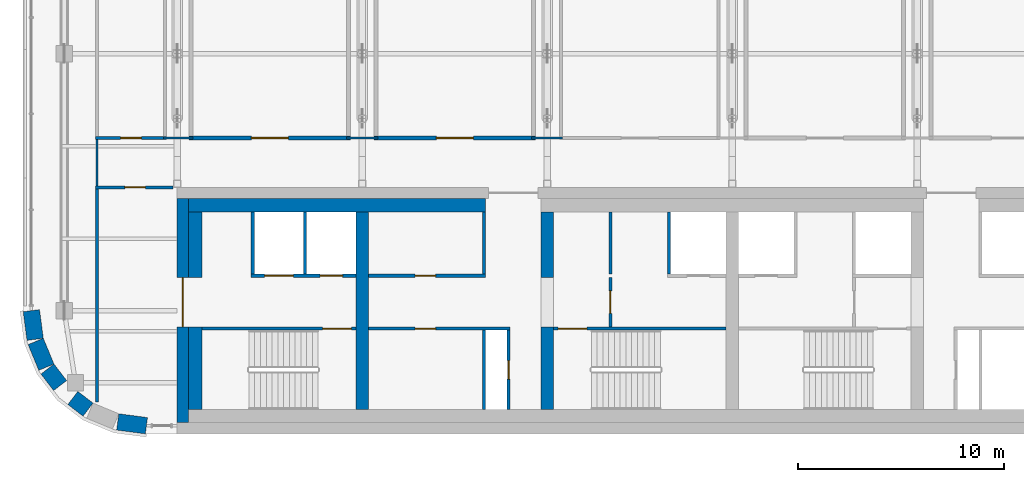
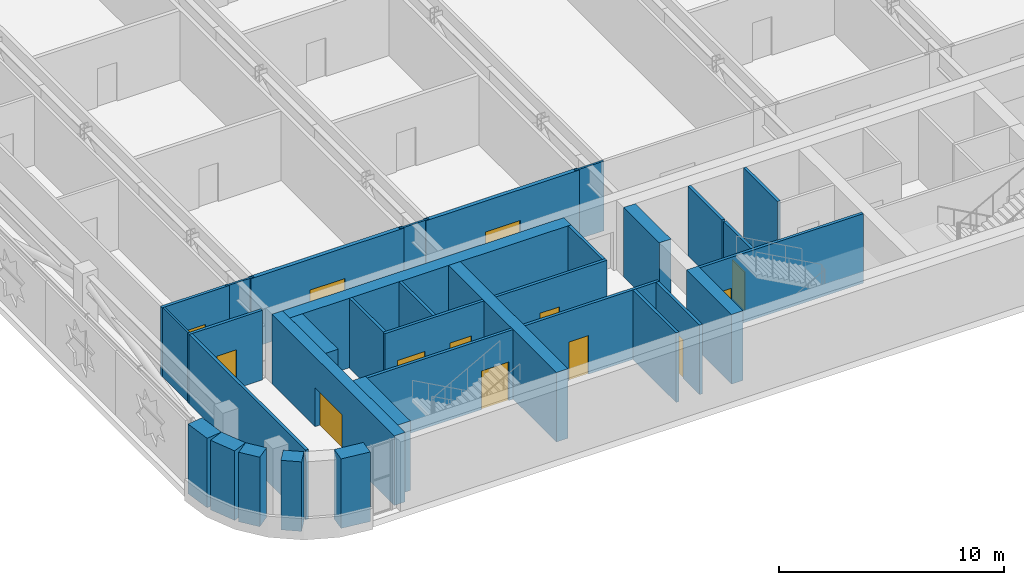
# One storey, part 18 of 28: 34 walls, 13 doors, 13 openings.
"""IFC4 building model written with IfcOpenShell, lengths in metres."""

import ifcopenshell
import ifcopenshell.guid

model = None  # the IFC model being written
_history = None  # IfcOwnerHistory: only IFC2X3 demands one
_inside = {}  # id of a spatial element -> (the spatial element, [elements in it])
_under = {}  # id of a project, library or spatial element -> (it, [spatial elements below it])
_declared = {}  # id of a project -> (the project, [libraries it declares])
_typed = {}  # id of a type object -> (the type object, [elements of that type])
_made_of = {}  # id of a material, layer set ... -> (it, [elements and type objects made of it])


def new_model(schema):
    """Start an empty IFC model of exactly this schema.

    Asked for "IFC4X3", IfcOpenShell would pick the latest addendum, in which some entities
    have other attributes; the version numbers below select the first issue.
    IFC2X3 requires an IfcOwnerHistory on every rooted entity: one is made here for all.
    """
    global model, _history
    if schema == "IFC4X3":
        model = ifcopenshell.file(schema_version=(4, 3, 0, 0))
    else:
        model = ifcopenshell.file(schema=schema)
    _inside.clear()
    _under.clear()
    _declared.clear()
    _typed.clear()
    _made_of.clear()
    _history = None
    if model.schema == "IFC2X3":
        org = make("IfcOrganization", Name="unknown")
        user = make(
            "IfcPersonAndOrganization",
            ThePerson=make("IfcPerson", FamilyName="unknown"),
            TheOrganization=org,
        )
        app = make(
            "IfcApplication",
            ApplicationDeveloper=org,
            Version="unknown",
            ApplicationFullName="unknown",
            ApplicationIdentifier="unknown",
        )
        _history = make(
            "IfcOwnerHistory",
            OwningUser=user,
            OwningApplication=app,
            ChangeAction="ADDED",
            CreationDate=0,
        )
    return model


def make(cls, **values):
    """One entity of the class cls with the attributes given. An attribute that is None is left unset."""
    return model.create_entity(
        cls, **{name: value for name, value in values.items() if value is not None}
    )


def rooted(cls, **values):
    """An entity with a GlobalId (a new one), such as an element, a storey or a relation."""
    return make(cls, GlobalId=ifcopenshell.guid.new(), OwnerHistory=_history, **values)


def si_unit(unit_type, name, prefix=None):
    """IfcSIUnit, for example si_unit("LENGTHUNIT", "METRE", prefix="MILLI")."""
    return make("IfcSIUnit", UnitType=unit_type, Prefix=prefix, Name=name)


def assignment(units):
    """IfcUnitAssignment: the units of a project."""
    return None if units is None else make("IfcUnitAssignment", Units=units)


def point(xyz):
    """IfcCartesianPoint."""
    return None if xyz is None else make("IfcCartesianPoint", Coordinates=xyz)


def direction(xyz):
    """IfcDirection."""
    return None if xyz is None else make("IfcDirection", DirectionRatios=xyz)


def frame(location, z_axis=None, x_axis=None):
    """IfcAxis2Placement3D, a coordinate frame: its origin and axes. An axis left out is left unset."""
    return make(
        "IfcAxis2Placement3D",
        Location=point(location),
        Axis=direction(z_axis),
        RefDirection=direction(x_axis),
    )


def frame_2d(location, x_axis=None):
    """IfcAxis2Placement2D, a coordinate frame in the plane: its origin and x axis."""
    return make(
        "IfcAxis2Placement2D", Location=point(location), RefDirection=direction(x_axis)
    )


def origin():
    """The frame at (0, 0, 0) with its axes left unset."""
    return frame((0.0, 0.0, 0.0))


def place(relative_to, where):
    """IfcLocalPlacement: puts the frame where relative to a parent placement (None: the world)."""
    return make(
        "IfcLocalPlacement", PlacementRelTo=relative_to, RelativePlacement=where
    )


def context(
    kind, dimensions, precision=None, world=None, true_north=None, identifier=None
):
    """IfcGeometricRepresentationContext, for example the 3D "Model" context."""
    return make(
        "IfcGeometricRepresentationContext",
        ContextIdentifier=identifier,
        ContextType=kind,
        CoordinateSpaceDimension=dimensions,
        Precision=precision,
        WorldCoordinateSystem=world,
        TrueNorth=true_north,
    )


def subcontext(parent, identifier, kind, view, scale=None):
    """IfcGeometricRepresentationSubContext, for example "Body" below "Model"."""
    return make(
        "IfcGeometricRepresentationSubContext",
        ContextIdentifier=identifier,
        ContextType=kind,
        ParentContext=parent,
        TargetScale=scale,
        TargetView=view,
    )


def project(units=None, contexts=None):
    """IfcProject with its units and contexts."""
    return rooted(
        "IfcProject",
        Name="project",
        RepresentationContexts=contexts,
        UnitsInContext=assignment(units),
    )


def spatial(cls, under=None, at=None, **own):
    """A site, building, storey or space (cls), placed at a placement, below another one or the project."""
    s = rooted(cls, ObjectPlacement=at, **own)
    if under is not None:
        _under.setdefault(under.id(), (under, []))[1].append(s)
    return s


def profile(cls, at=None, kind="AREA", **sizes):
    """A parametric profile (cls). Its sizes go by their IFC names, for example OverallWidth=200.0."""
    return make(cls, ProfileType=kind, Position=at, **sizes)


def rectangle(**sizes):
    """IfcRectangleProfileDef."""
    return profile("IfcRectangleProfileDef", **sizes)


def extrude(swept, where, along, depth):
    """IfcExtrudedAreaSolid: the profile swept, set in the frame where, extruded along a direction by depth."""
    return make(
        "IfcExtrudedAreaSolid",
        SweptArea=swept,
        Position=where,
        ExtrudedDirection=direction(along),
        Depth=depth,
    )


def shape(context_of_items, identifier, shape_type, items):
    """IfcShapeRepresentation: the items that make up one representation, for example the "Body"."""
    return make(
        "IfcShapeRepresentation",
        ContextOfItems=context_of_items,
        RepresentationIdentifier=identifier,
        RepresentationType=shape_type,
        Items=items,
    )


def material(Name=None, Category=None):
    """IfcMaterial."""
    return make("IfcMaterial", Name=Name, Category=Category)


def layer(
    of_material, thickness, ventilated=None, Name=None, Category=None, Priority=None
):
    """IfcMaterialLayer: one layer of a wall or slab, of a material (None: an air gap)."""
    return make(
        "IfcMaterialLayer",
        Material=of_material,
        LayerThickness=thickness,
        IsVentilated=ventilated,
        Name=Name,
        Category=Category,
        Priority=Priority,
    )


def layer_set(layers, Name=None):
    """IfcMaterialLayerSet."""
    return make("IfcMaterialLayerSet", MaterialLayers=layers, LayerSetName=Name)


def made_of(thing, what):
    """Note that an element or type object is made of a material, layer set ...; save() writes the relation."""
    if what is not None:
        _made_of.setdefault(what.id(), (what, []))[1].append(thing)
    return thing


def type_object(cls, material=None, **own):
    """A type object (cls), such as IfcWallType, which elements share."""
    return made_of(rooted(cls, **own), material)


def element(
    cls,
    number,
    at=None,
    inside=None,
    cuts=None,
    type_object=None,
    material=None,
    context=None,
    identifier="Body",
    shape_type=None,
    held_by="IfcProductDefinitionShape",
    body=None,
    shapes=None,
    **own,
):
    """One element of the class cls, such as IfcWall. Its Tag is "e" and its number.

    at: its placement. inside: the storey or other place that contains it. cuts: it is an
    opening in that element (IfcRelVoidsElement). A single representation is given by context,
    identifier, shape_type and body (its items); several are given by shapes. held_by: the class
    of the entity that holds the representations. save() writes the other relations.
    """
    e = rooted(cls, Tag="e%d" % number, ObjectPlacement=at, **own)
    if body is not None:
        shapes = [shape(context, identifier, shape_type, body)]
    if shapes is not None:
        e.Representation = make(held_by, Representations=shapes)
    if inside is not None:
        _inside.setdefault(inside.id(), (inside, []))[1].append(e)
    if cuts is not None:
        rooted(
            "IfcRelVoidsElement", RelatingBuildingElement=cuts, RelatedOpeningElement=e
        )
    if type_object is not None:
        _typed.setdefault(type_object.id(), (type_object, []))[1].append(e)
    return made_of(e, material)


def fill(opening, filler):
    """IfcRelFillsElement: the door or window that sits in an opening."""
    return rooted(
        "IfcRelFillsElement",
        RelatingOpeningElement=opening,
        RelatedBuildingElement=filler,
    )


def aggregate(whole, parts):
    """IfcRelAggregates: a whole, such as a stair, and the parts it consists of."""
    return rooted("IfcRelAggregates", RelatingObject=whole, RelatedObjects=parts)


def save(model, path):
    """Write the relations noted so far, then the file.

    IfcRelAggregates (storeys below a building ...), IfcRelContainedInSpatialStructure (elements
    in a storey), IfcRelDefinesByType, IfcRelAssociatesMaterial and IfcRelDeclares: one each for
    every whole, place, type object, material and project.
    """
    for whole, parts in _under.values():
        aggregate(whole, parts)
    for where, things in _inside.values():
        rooted(
            "IfcRelContainedInSpatialStructure",
            RelatedElements=things,
            RelatingStructure=where,
        )
    for kind, things in _typed.values():
        rooted("IfcRelDefinesByType", RelatedObjects=things, RelatingType=kind)
    for what, things in _made_of.values():
        rooted("IfcRelAssociatesMaterial", RelatedObjects=things, RelatingMaterial=what)
    for by, libraries in _declared.values():
        rooted("IfcRelDeclares", RelatingContext=by, RelatedDefinitions=libraries)
    model.write(path)


model = new_model("IFC4")

# Units and contexts
model_context = context("Model", 3, precision=1e-05, world=origin(), true_north=direction((0.0, 1.0)))
body_context = subcontext(model_context, "Body", "Model", "MODEL_VIEW")
ifc_project = project(units=[si_unit("LENGTHUNIT", "METRE"), si_unit("AREAUNIT", "SQUARE_METRE"), si_unit("VOLUMEUNIT", "CUBIC_METRE"), si_unit("PLANEANGLEUNIT", "RADIAN"), si_unit("MASSUNIT", "GRAM", prefix="KILO")], contexts=[model_context])

# Site, building, storey
site_placement = place(None, origin())
site = spatial("IfcSite", under=ifc_project, at=site_placement, CompositionType="ELEMENT")
building_placement = place(site_placement, origin())
building = spatial("IfcBuilding", under=site, at=building_placement, Name="Zellij Exchange Tower", CompositionType="ELEMENT")
storey_placement = place(building_placement, frame((0.0, 0.0, 268.5)))
storey = spatial("IfcBuildingStorey", under=building, at=storey_placement, Name="L63", CompositionType="ELEMENT", Elevation=268.5)

# Walls
ifc_material_1 = material(Name="Concrete C50/60", Category="concrete")
ifc_layer_1 = layer(ifc_material_1, 0.60009765625)
ifc_layer_set_1 = layer_set([ifc_layer_1], Name="Concrete C50/60")
wall_type_1 = type_object("IfcWallType", Name="CORE-CW 600 C50/60", PredefinedType="SHEAR", material=ifc_layer_set_1)
wall_1_placement = place(storey_placement, frame((-18.0, -12.800048828125, 0.0), z_axis=(0.0, 0.0, 1.0), x_axis=(0.0, 1.0, 0.0)))
element("IfcWall", 1, at=wall_1_placement, inside=storey, type_object=wall_type_1, Name="Core cross wall x -18 L63", PredefinedType="SHEAR", context=body_context, shape_type="SweptSolid", body=[
    extrude(rectangle(XDim=9.60009765625, YDim=0.60009765625, at=frame_2d((4.800048828125, 0.0))), origin(), (0.0, 0.0, 1.0), 3.780029296875),
])
wall_2_placement = place(storey_placement, frame((-9.0, -12.800048828125, 0.0), z_axis=(0.0, 0.0, 1.0), x_axis=(0.0, 1.0, 0.0)))
element("IfcWall", 2, at=wall_2_placement, inside=storey, type_object=wall_type_1, Name="Core cross wall pier x -9 a L63", PredefinedType="SHEAR", context=body_context, shape_type="SweptSolid", body=[
    extrude(rectangle(XDim=4.0, YDim=0.60009765625, at=frame_2d((2.0, 0.0))), origin(), (0.0, 0.0, 1.0), 3.780029296875),
])
wall_3_placement = place(storey_placement, frame((-9.0, -6.375, 0.0), z_axis=(0.0, 0.0, 1.0), x_axis=(0.0, 1.0, 0.0)))
element("IfcWall", 3, at=wall_3_placement, inside=storey, type_object=wall_type_1, Name="Core cross wall pier x -9 b L63", PredefinedType="SHEAR", context=body_context, shape_type="SweptSolid", body=[
    extrude(rectangle(XDim=3.175048828125, YDim=0.60009765625, at=frame_2d((1.58740234375, 0.0))), origin(), (0.0, 0.0, 1.0), 3.780029296875),
])
ifc_material_2 = material(Name="Concrete C30/37", Category="concrete")
ifc_layer_2 = layer(ifc_material_2, 0.64990234375)
ifc_layer_set_2 = layer_set([ifc_layer_2], Name="Concrete C30/37")
wall_type_2 = type_object("IfcWallType", Name="CORE-LW 650 C30/37", PredefinedType="SHEAR", material=ifc_layer_set_2)
wall_4_placement = place(storey_placement, frame((-26.449951171875, -2.875, 0.0), z_axis=(0.0, 0.0, 1.0), x_axis=(1.0, 0.0, 0.0)))
element("IfcWall", 4, at=wall_4_placement, inside=storey, type_object=wall_type_2, Name="Core wall lining front.0 L63", PredefinedType="SHEAR", context=body_context, shape_type="SweptSolid", body=[
    extrude(rectangle(XDim=14.449951171875, YDim=0.64990234375, at=frame_2d((7.22509765625, 0.0))), origin(), (0.0, 0.0, 1.0), 3.780029296875),
])
wall_5_placement = place(storey_placement, frame((-26.125, -12.800048828125, 0.0), z_axis=(0.0, 0.0, 1.0), x_axis=(0.0, 1.0, 0.0)))
element("IfcWall", 5, at=wall_5_placement, inside=storey, type_object=wall_type_2, Name="Core wall lining end w.0 L63", PredefinedType="SHEAR", context=body_context, shape_type="SweptSolid", body=[
    extrude(rectangle(XDim=4.0, YDim=0.64990234375, at=frame_2d((2.0, 0.0))), origin(), (0.0, 0.0, 1.0), 3.780029296875),
])
wall_6_placement = place(storey_placement, frame((-26.125, -6.375, 0.0), z_axis=(0.0, 0.0, 1.0), x_axis=(0.0, 1.0, 0.0)))
element("IfcWall", 6, at=wall_6_placement, inside=storey, type_object=wall_type_2, Name="Core wall lining end w.1 L63", PredefinedType="SHEAR", context=body_context, shape_type="SweptSolid", body=[
    extrude(rectangle(XDim=3.175048828125, YDim=0.64990234375, at=frame_2d((1.58740234375, 0.0))), origin(), (0.0, 0.0, 1.0), 3.780029296875),
])

# Wall, opening, door
ifc_material_3 = material(Name="Gypsum shaft wall system")
ifc_layer_3 = layer(ifc_material_3, 0.14990234375)
ifc_layer_set_3 = layer_set([ifc_layer_3], Name="Gypsum shaft wall system")
wall_type_3 = type_object("IfcWallType", Name="CORE-PW 150 Firefighting lobby wall", PredefinedType="PARTITIONING", material=ifc_layer_set_3)
wall_7_placement = place(storey_placement, frame((-5.925048828125, -8.800048828125, 0.0), z_axis=(0.0, 0.0, 1.0), x_axis=(0.0, 1.0, 0.0)))
wall_7 = element("IfcWall", 7, at=wall_7_placement, inside=storey, type_object=wall_type_3, Name="Firefighting lobby wall L63", PredefinedType="PARTITIONING", context=body_context, shape_type="SweptSolid", body=[
    extrude(rectangle(XDim=2.425048828125, YDim=0.14990234375, at=frame_2d((1.21240234375, 0.0))), origin(), (0.0, 0.0, 1.0), 3.780029296875),
])
opening_1_placement = place(wall_7_placement, frame((0.662109375, 0.0, 0.0)))
opening_1 = element("IfcOpeningElement", 8, at=opening_1_placement, cuts=wall_7, Name="Opening CA-33.10", PredefinedType="OPENING", context=body_context, shape_type="SweptSolid", body=[
    extrude(rectangle(XDim=1.10009765625, YDim=2.10009765625, at=frame_2d((0.550048828125, 1.050048828125))), frame((0.0, 0.0869140625, 0.0), z_axis=(0.0, -1.0, 0.0), x_axis=(1.0, 0.0, 0.0)), (0.0, 0.0, 1.0), 0.173828125),
])
ifc_material_4 = material(Name="Hollow metal fire door")
door_type_1 = type_object("IfcDoorType", Name="CORE-D F Firefighting lobby door 1100x2100 1 HR", OperationType="NOTDEFINED", PredefinedType="DOOR", material=ifc_material_4)
door_1_placement = place(opening_1_placement, origin())
door_1 = element("IfcDoor", 9, at=door_1_placement, inside=storey, type_object=door_type_1, Name="Firefighting lobby door CA-33.10", OperationType="SINGLE_SWING_LEFT", OverallHeight=2.10009765625, OverallWidth=1.10009765625, PredefinedType="DOOR", context=body_context, shape_type="SweptSolid", body=[
    extrude(rectangle(XDim=1.10009765625, YDim=2.10009765625, at=frame_2d((0.550048828125, 1.050048828125))), frame((0.0, 0.02490234375, 0.0), z_axis=(0.0, -1.0, 0.0), x_axis=(1.0, 0.0, 0.0)), (0.0, 0.0, 1.0), 0.050048828125),
])
fill(opening_1, door_1)

# Walls
ifc_layer_4 = layer(ifc_material_3, 0.14990234375)
ifc_layer_set_4 = layer_set([ifc_layer_4], Name="Gypsum shaft wall system")
wall_type_4 = type_object("IfcWallType", Name="CORE-PW 150 Lift shaft wall", PredefinedType="PARTITIONING", material=ifc_layer_set_4)
for number, where, z_axis, x_axis, name in (
    (10, (-20.77490234375, -6.22509765625, 0.0), (0.0, 0.0, 1.0), (0.0, 1.0, 0.0), "Lift shaft wall L63"),
    (11, (-23.324951171875, -6.22509765625, 0.0), (0.0, 0.0, 1.0), (0.0, 1.0, 0.0), "Lift shaft wall L63"),
    (12, (-3.074951171875, -6.22509765625, 0.0), (0.0, 0.0, 1.0), (0.0, 1.0, 0.0), "Lift shaft wall L63"),
):
    element("IfcWall", number, at=place(storey_placement, frame(where, z_axis=z_axis, x_axis=x_axis)), inside=storey, type_object=wall_type_4, Name=name, PredefinedType="PARTITIONING", context=body_context, shape_type="SweptSolid", body=[
        extrude(rectangle(XDim=3.025146484375, YDim=0.14990234375, at=frame_2d((1.5126953125, 0.0))), origin(), (0.0, 0.0, 1.0), 3.780029296875),
    ])

# Wall, openings, doors
wall_8_placement = place(storey_placement, frame((-23.39990234375, -6.300048828125, 0.0), z_axis=(0.0, 0.0, 1.0), x_axis=(1.0, 0.0, 0.0)))
wall_8 = element("IfcWall", 13, at=wall_8_placement, inside=storey, type_object=wall_type_4, Name="Lift shaft wall L63", PredefinedType="PARTITIONING", context=body_context, shape_type="SweptSolid", body=[
    extrude(rectangle(XDim=5.099853515625, YDim=0.14990234375, at=frame_2d((2.5498046875, 0.0))), origin(), (0.0, 0.0, 1.0), 3.780029296875),
])
opening_2_placement = place(wall_8_placement, frame((0.64990234375, 0.0, 0.0)))
opening_2 = element("IfcOpeningElement", 14, at=opening_2_placement, cuts=wall_8, Name="Opening CA-33.02", PredefinedType="OPENING", context=body_context, shape_type="SweptSolid", body=[
    extrude(rectangle(XDim=1.39990234375, YDim=2.10009765625, at=frame_2d((0.699951171875, 1.050048828125))), frame((0.0, 0.0869140625, 0.0), z_axis=(0.0, -1.0, 0.0), x_axis=(1.0, 0.0, 0.0)), (0.0, 0.0, 1.0), 0.173828125),
])
opening_3_placement = place(wall_8_placement, frame((3.35009765625, 0.0, 0.0)))
opening_3 = element("IfcOpeningElement", 15, at=opening_3_placement, cuts=wall_8, Name="Opening CA-33.03", PredefinedType="OPENING", context=body_context, shape_type="SweptSolid", body=[
    extrude(rectangle(XDim=1.10009765625, YDim=2.10009765625, at=frame_2d((0.550048828125, 1.050048828125))), frame((0.0, 0.0869140625, 0.0), z_axis=(0.0, -1.0, 0.0), x_axis=(1.0, 0.0, 0.0)), (0.0, 0.0, 1.0), 0.173828125),
])
door_type_2 = type_object("IfcDoorType", Name="CORE-D LD Lift landing door 1100x2100 1.5 HR", OperationType="NOTDEFINED", PredefinedType="DOOR", material=ifc_material_4)
door_2_placement = place(opening_3_placement, origin())
door_2 = element("IfcDoor", 16, at=door_2_placement, inside=storey, type_object=door_type_2, Name="Lift landing door CA-33.03", OperationType="SLIDING_TO_LEFT", OverallHeight=2.10009765625, OverallWidth=1.10009765625, PredefinedType="DOOR", context=body_context, shape_type="SweptSolid", body=[
    extrude(rectangle(XDim=1.10009765625, YDim=2.10009765625, at=frame_2d((0.550048828125, 1.050048828125))), frame((0.0, 0.02490234375, 0.0), z_axis=(0.0, -1.0, 0.0), x_axis=(1.0, 0.0, 0.0)), (0.0, 0.0, 1.0), 0.050048828125),
])
fill(opening_3, door_2)
door_type_3 = type_object("IfcDoorType", Name="CORE-D LD2 Service lift landing door 1400x2100 1.5 HR", OperationType="NOTDEFINED", PredefinedType="DOOR", material=ifc_material_4)
door_3_placement = place(opening_2_placement, origin())
door_3 = element("IfcDoor", 17, at=door_3_placement, inside=storey, type_object=door_type_3, Name="Service lift landing door CA-33.02", OperationType="SLIDING_TO_RIGHT", OverallHeight=2.10009765625, OverallWidth=1.39990234375, PredefinedType="DOOR", context=body_context, shape_type="SweptSolid", body=[
    extrude(rectangle(XDim=1.39990234375, YDim=2.10009765625, at=frame_2d((0.699951171875, 1.050048828125))), frame((0.0, 0.02490234375, 0.0), z_axis=(0.0, -1.0, 0.0), x_axis=(1.0, 0.0, 0.0)), (0.0, 0.0, 1.0), 0.050048828125),
])
fill(opening_2, door_3)

# Walls
ifc_layer_5 = layer(ifc_material_3, 0.14990234375)
ifc_layer_set_5 = layer_set([ifc_layer_5], Name="Gypsum shaft wall system")
wall_type_5 = type_object("IfcWallType", Name="CORE-PW 150 Plant room wall", PredefinedType="PARTITIONING", material=ifc_layer_set_5)
for number, where, z_axis, x_axis, name in (
    (18, (-12.074951171875, -6.22509765625, 0.0), (0.0, 0.0, 1.0), (0.0, 1.0, 0.0), "Plant room wall L63"),
    (19, (-5.925048828125, -6.22509765625, 0.0), (0.0, 0.0, 1.0), (0.0, 1.0, 0.0), "Plant room wall L63"),
):
    element("IfcWall", number, at=place(storey_placement, frame(where, z_axis=z_axis, x_axis=x_axis)), inside=storey, type_object=wall_type_5, Name=name, PredefinedType="PARTITIONING", context=body_context, shape_type="SweptSolid", body=[
        extrude(rectangle(XDim=3.025146484375, YDim=0.14990234375, at=frame_2d((1.5126953125, 0.0))), origin(), (0.0, 0.0, 1.0), 3.780029296875),
    ])

# Wall, opening, door
wall_9_placement = place(storey_placement, frame((-10.875, -12.800048828125, 0.0), z_axis=(0.0, 0.0, 1.0), x_axis=(0.0, 1.0, 0.0)))
wall_9 = element("IfcWall", 20, at=wall_9_placement, inside=storey, type_object=wall_type_5, Name="Plant room wall L63", PredefinedType="PARTITIONING", context=body_context, shape_type="SweptSolid", body=[
    extrude(rectangle(XDim=3.85009765625, YDim=0.14990234375, at=frame_2d((1.925048828125, 0.0))), origin(), (0.0, 0.0, 1.0), 3.780029296875),
])
opening_4_placement = place(wall_9_placement, frame((1.47509765625, 0.0, 0.0)))
opening_4 = element("IfcOpeningElement", 21, at=opening_4_placement, cuts=wall_9, Name="Opening CA-33.07", PredefinedType="OPENING", context=body_context, shape_type="SweptSolid", body=[
    extrude(rectangle(XDim=0.89990234375, YDim=2.10009765625, at=frame_2d((0.449951171875, 1.050048828125))), frame((0.0, 0.0869140625, 0.0), z_axis=(0.0, -1.0, 0.0), x_axis=(1.0, 0.0, 0.0)), (0.0, 0.0, 1.0), 0.173828125),
])
door_type_4 = type_object("IfcDoorType", Name="CORE-D RD Riser door 900x2100 1.5 HR", OperationType="NOTDEFINED", PredefinedType="DOOR", material=ifc_material_4)
door_4_placement = place(opening_4_placement, origin())
door_4 = element("IfcDoor", 22, at=door_4_placement, inside=storey, type_object=door_type_4, Name="Riser door CA-33.07", OperationType="SINGLE_SWING_RIGHT", OverallHeight=2.10009765625, OverallWidth=0.89990234375, PredefinedType="DOOR", context=body_context, shape_type="SweptSolid", body=[
    extrude(rectangle(XDim=0.89990234375, YDim=2.10009765625, at=frame_2d((0.449951171875, 1.050048828125))), frame((0.0, 0.02490234375, 0.0), z_axis=(0.0, -1.0, 0.0), x_axis=(1.0, 0.0, 0.0)), (0.0, 0.0, 1.0), 0.050048828125),
])
fill(opening_4, door_4)

# Wall
wall_10_placement = place(storey_placement, frame((-12.074951171875, -12.800048828125, 0.0), z_axis=(0.0, 0.0, 1.0), x_axis=(0.0, 1.0, 0.0)))
element("IfcWall", 23, at=wall_10_placement, inside=storey, type_object=wall_type_5, Name="Plant room wall L63", PredefinedType="PARTITIONING", context=body_context, shape_type="SweptSolid", body=[
    extrude(rectangle(XDim=3.85009765625, YDim=0.14990234375, at=frame_2d((1.925048828125, 0.0))), origin(), (0.0, 0.0, 1.0), 3.780029296875),
])

# Wall, opening, door
wall_11_placement = place(storey_placement, frame((-17.699951171875, -6.300048828125, 0.0), z_axis=(0.0, 0.0, 1.0), x_axis=(1.0, 0.0, 0.0)))
wall_11 = element("IfcWall", 24, at=wall_11_placement, inside=storey, type_object=wall_type_5, Name="Plant room wall L63", PredefinedType="PARTITIONING", context=body_context, shape_type="SweptSolid", body=[
    extrude(rectangle(XDim=5.699951171875, YDim=0.14990234375, at=frame_2d((2.85009765625, 0.0))), origin(), (0.0, 0.0, 1.0), 3.780029296875),
])
opening_5_placement = place(wall_11_placement, frame((2.27490234375, 0.0, 0.0)))
opening_5 = element("IfcOpeningElement", 25, at=opening_5_placement, cuts=wall_11, Name="Opening CA-33.06", PredefinedType="OPENING", context=body_context, shape_type="SweptSolid", body=[
    extrude(rectangle(XDim=1.0, YDim=2.10009765625, at=frame_2d((0.5, 1.050048828125))), frame((0.0, 0.0869140625, 0.0), z_axis=(0.0, -1.0, 0.0), x_axis=(1.0, 0.0, 0.0)), (0.0, 0.0, 1.0), 0.173828125),
])
door_type_5 = type_object("IfcDoorType", Name="CORE-D CDA Core room door 1000x2100 1.5 HR", OperationType="NOTDEFINED", PredefinedType="DOOR", material=ifc_material_4)
door_5_placement = place(opening_5_placement, origin())
door_5 = element("IfcDoor", 26, at=door_5_placement, inside=storey, type_object=door_type_5, Name="Core room door CA-33.06", OperationType="SINGLE_SWING_LEFT", OverallHeight=2.10009765625, OverallWidth=1.0, PredefinedType="DOOR", context=body_context, shape_type="SweptSolid", body=[
    extrude(rectangle(XDim=1.0, YDim=2.10009765625, at=frame_2d((0.5, 1.050048828125))), frame((0.0, 0.02490234375, 0.0), z_axis=(0.0, -1.0, 0.0), x_axis=(1.0, 0.0, 0.0)), (0.0, 0.0, 1.0), 0.050048828125),
])
fill(opening_5, door_5)

wall_12_placement = place(storey_placement, frame((-17.699951171875, -8.875, 0.0), z_axis=(0.0, 0.0, 1.0), x_axis=(1.0, 0.0, 0.0)))
wall_12 = element("IfcWall", 27, at=wall_12_placement, inside=storey, type_object=wall_type_5, Name="Plant room wall L63", PredefinedType="PARTITIONING", context=body_context, shape_type="SweptSolid", body=[
    extrude(rectangle(XDim=6.89990234375, YDim=0.14990234375, at=frame_2d((3.449951171875, 0.0))), origin(), (0.0, 0.0, 1.0), 3.780029296875),
])
opening_6_placement = place(wall_12_placement, frame((2.27490234375, 0.0, 0.0)))
opening_6 = element("IfcOpeningElement", 28, at=opening_6_placement, cuts=wall_12, Name="Opening CA-33.05", PredefinedType="OPENING", context=body_context, shape_type="SweptSolid", body=[
    extrude(rectangle(XDim=1.0, YDim=2.10009765625, at=frame_2d((0.5, 1.050048828125))), frame((0.0, 0.0869140625, 0.0), z_axis=(0.0, -1.0, 0.0), x_axis=(1.0, 0.0, 0.0)), (0.0, 0.0, 1.0), 0.173828125),
])
door_6_placement = place(opening_6_placement, origin())
door_6 = element("IfcDoor", 29, at=door_6_placement, inside=storey, type_object=door_type_5, Name="Core room door CA-33.05", OperationType="SINGLE_SWING_RIGHT", OverallHeight=2.10009765625, OverallWidth=1.0, PredefinedType="DOOR", context=body_context, shape_type="SweptSolid", body=[
    extrude(rectangle(XDim=1.0, YDim=2.10009765625, at=frame_2d((0.5, 1.050048828125))), frame((0.0, 0.02490234375, 0.0), z_axis=(0.0, -1.0, 0.0), x_axis=(1.0, 0.0, 0.0)), (0.0, 0.0, 1.0), 0.050048828125),
])
fill(opening_6, door_6)

ifc_layer_6 = layer(ifc_material_1, 0.550048828125)
ifc_layer_set_6 = layer_set([ifc_layer_6], Name="Concrete C50/60")
wall_type_6 = type_object("IfcWallType", Name="CORE-SW 550 C50/60", PredefinedType="SHEAR", material=ifc_layer_set_6)
wall_13_placement = place(storey_placement, frame((-26.72509765625, -13.449951171875, 0.0), z_axis=(0.0, 0.0, 1.0), x_axis=(0.0, 1.0, 0.0)))
wall_13 = element("IfcWall", 30, at=wall_13_placement, inside=storey, type_object=wall_type_6, Name="Core shear wall end w L63", PredefinedType="SHEAR", context=body_context, shape_type="SweptSolid", body=[
    extrude(rectangle(XDim=10.89990234375, YDim=0.550048828125, at=frame_2d((5.449951171875, 0.0))), origin(), (0.0, 0.0, 1.0), 3.780029296875),
])
opening_7_placement = place(wall_13_placement, frame((4.662109375, 0.0, 0.0)))
opening_7 = element("IfcOpeningElement", 31, at=opening_7_placement, cuts=wall_13, Name="Opening CA-33.01", PredefinedType="OPENING", context=body_context, shape_type="SweptSolid", body=[
    extrude(rectangle(XDim=2.39990234375, YDim=2.10009765625, at=frame_2d((1.199951171875, 1.050048828125))), frame((0.0, 0.287109375, 0.0), z_axis=(0.0, -1.0, 0.0), x_axis=(1.0, 0.0, 0.0)), (0.0, 0.0, 1.0), 0.573974609375),
])
door_type_6 = type_object("IfcDoorType", Name="CORE-D CE Core entrance door 2400x2100 20 MIN", OperationType="NOTDEFINED", PredefinedType="DOOR", material=ifc_material_4)
door_7_placement = place(opening_7_placement, origin())
door_7 = element("IfcDoor", 32, at=door_7_placement, inside=storey, type_object=door_type_6, Name="Core entrance door CA-33.01", OperationType="DOUBLE_DOOR_SINGLE_SWING", OverallHeight=2.10009765625, OverallWidth=2.39990234375, PredefinedType="DOOR", context=body_context, shape_type="SweptSolid", body=[
    extrude(rectangle(XDim=2.39990234375, YDim=2.10009765625, at=frame_2d((1.199951171875, 1.050048828125))), frame((0.0, 0.02490234375, 0.0), z_axis=(0.0, -1.0, 0.0), x_axis=(1.0, 0.0, 0.0)), (0.0, 0.0, 1.0), 0.050048828125),
])
fill(opening_7, door_7)

ifc_layer_7 = layer(ifc_material_1, 0.14990234375)
ifc_layer_set_7 = layer_set([ifc_layer_7], Name="Concrete C50/60")
wall_type_7 = type_object("IfcWallType", Name="CORE-SWS 150 C50/60", PredefinedType="SHEAR", material=ifc_layer_set_7)
wall_14_placement = place(storey_placement, frame((-25.800048828125, -8.875, 0.0), z_axis=(0.0, 0.0, 1.0), x_axis=(1.0, 0.0, 0.0)))
wall_14 = element("IfcWall", 33, at=wall_14_placement, inside=storey, type_object=wall_type_7, Name="Stair enclosure wall L63", PredefinedType="SHEAR", context=body_context, shape_type="SweptSolid", body=[
    extrude(rectangle(XDim=7.5, YDim=0.14990234375, at=frame_2d((3.75, 0.0))), origin(), (0.0, 0.0, 1.0), 3.780029296875),
])
opening_8_placement = place(wall_14_placement, frame((5.875, 0.0, 0.0)))
opening_8 = element("IfcOpeningElement", 34, at=opening_8_placement, cuts=wall_14, Name="Opening CA-33.04", PredefinedType="OPENING", context=body_context, shape_type="SweptSolid", body=[
    extrude(rectangle(XDim=1.39990234375, YDim=2.10009765625, at=frame_2d((0.699951171875, 1.050048828125))), frame((0.0, 0.0869140625, 0.0), z_axis=(0.0, -1.0, 0.0), x_axis=(1.0, 0.0, 0.0)), (0.0, 0.0, 1.0), 0.173828125),
])
door_type_7 = type_object("IfcDoorType", Name="CORE-D SD Stair door 1400x2100 1.5 HR", OperationType="NOTDEFINED", PredefinedType="DOOR", material=ifc_material_4)
door_8_placement = place(opening_8_placement, origin())
door_8 = element("IfcDoor", 35, at=door_8_placement, inside=storey, type_object=door_type_7, Name="Stair door CA-33.04", OperationType="DOUBLE_DOOR_SINGLE_SWING", OverallHeight=2.10009765625, OverallWidth=1.39990234375, PredefinedType="DOOR", context=body_context, shape_type="SweptSolid", body=[
    extrude(rectangle(XDim=1.39990234375, YDim=2.10009765625, at=frame_2d((0.699951171875, 1.050048828125))), frame((0.0, 0.02490234375, 0.0), z_axis=(0.0, -1.0, 0.0), x_axis=(1.0, 0.0, 0.0)), (0.0, 0.0, 1.0), 0.050048828125),
])
fill(opening_8, door_8)

wall_15_placement = place(storey_placement, frame((-8.699951171875, -8.875, 0.0), z_axis=(0.0, 0.0, 1.0), x_axis=(1.0, 0.0, 0.0)))
wall_15 = element("IfcWall", 36, at=wall_15_placement, inside=storey, type_object=wall_type_7, Name="Stair enclosure wall L63", PredefinedType="SHEAR", context=body_context, shape_type="SweptSolid", body=[
    extrude(rectangle(XDim=8.39990234375, YDim=0.14990234375, at=frame_2d((4.199951171875, 0.0))), origin(), (0.0, 0.0, 1.0), 3.780029296875),
])
opening_9_placement = place(wall_15_placement, frame((0.22509765625, 0.0, 0.0)))
opening_9 = element("IfcOpeningElement", 37, at=opening_9_placement, cuts=wall_15, Name="Opening CA-33.09", PredefinedType="OPENING", context=body_context, shape_type="SweptSolid", body=[
    extrude(rectangle(XDim=1.39990234375, YDim=2.10009765625, at=frame_2d((0.699951171875, 1.050048828125))), frame((0.0, 0.0869140625, 0.0), z_axis=(0.0, -1.0, 0.0), x_axis=(1.0, 0.0, 0.0)), (0.0, 0.0, 1.0), 0.173828125),
])
door_9_placement = place(opening_9_placement, origin())
door_9 = element("IfcDoor", 38, at=door_9_placement, inside=storey, type_object=door_type_7, Name="Stair door CA-33.09", OperationType="DOUBLE_DOOR_SINGLE_SWING", OverallHeight=2.10009765625, OverallWidth=1.39990234375, PredefinedType="DOOR", context=body_context, shape_type="SweptSolid", body=[
    extrude(rectangle(XDim=1.39990234375, YDim=2.10009765625, at=frame_2d((0.699951171875, 1.050048828125))), frame((0.0, 0.02490234375, 0.0), z_axis=(0.0, -1.0, 0.0), x_axis=(1.0, 0.0, 0.0)), (0.0, 0.0, 1.0), 0.050048828125),
])
fill(opening_9, door_9)

# Walls
ifc_material_5 = material(Name="Precast concrete C40/50", Category="concrete")
ifc_layer_8 = layer(ifc_material_5, 0.800048828125)
ifc_layer_set_8 = layer_set([ifc_layer_8], Name="Precast concrete C40/50")
wall_type_8 = type_object("IfcWallType", Name="ENV-EW1 Precast stone-piered wall 800", PredefinedType="SOLIDWALL", material=ifc_layer_set_8)
wall_16_placement = place(storey_placement, frame((-34.0966796875, -7.999755859375, 0.0), z_axis=(0.0, 0.0, 1.0), x_axis=(0.130517283865, -0.99144603414, 0.0)))
element("IfcWall", 39, at=wall_16_placement, inside=storey, type_object=wall_type_8, Name="fac.L63.22", PredefinedType="SOLIDWALL", context=body_context, shape_type="SweptSolid", body=[
    extrude(rectangle(XDim=1.408447265625, YDim=0.800048828125, at=frame_2d((0.7041015625, 0.0))), origin(), (0.0, 0.0, 1.0), 3.780029296875),
])
wall_17_placement = place(storey_placement, frame((-33.8857421875, -9.497314453125, 0.0), z_axis=(0.0, 0.0, 1.0), x_axis=(0.38276009378, -0.923847774587, 0.0)))
element("IfcWall", 40, at=wall_17_placement, inside=storey, type_object=wall_type_8, Name="fac.L63.23", PredefinedType="SOLIDWALL", context=body_context, shape_type="SweptSolid", body=[
    extrude(rectangle(XDim=1.35546875, YDim=0.800048828125, at=frame_2d((0.677734375, 0.0))), origin(), (0.0, 0.0, 1.0), 3.780029296875),
])
wall_18_placement = place(storey_placement, frame((-33.314697265625, -10.840087890625, 0.0), z_axis=(0.0, 0.0, 1.0), x_axis=(0.608790576947, -0.793330973441, 0.0)))
element("IfcWall", 41, at=wall_18_placement, inside=storey, type_object=wall_type_8, Name="fac.L63.24", PredefinedType="SOLIDWALL", context=body_context, shape_type="SweptSolid", body=[
    extrude(rectangle(XDim=1.013427734375, YDim=0.800048828125, at=frame_2d((0.5068359375, 0.0))), origin(), (0.0, 0.0, 1.0), 3.780029296875),
])
wall_19_placement = place(storey_placement, frame((-32.078857421875, -12.247802734375, 0.0), z_axis=(0.0, 0.0, 1.0), x_axis=(0.793344662299, -0.608772738221, 0.0)))
element("IfcWall", 42, at=wall_19_placement, inside=storey, type_object=wall_type_8, Name="fac.L63.25", PredefinedType="SOLIDWALL", context=body_context, shape_type="SweptSolid", body=[
    extrude(rectangle(XDim=0.93115234375, YDim=0.800048828125, at=frame_2d((0.465576171875, 0.0))), origin(), (0.0, 0.0, 1.0), 3.780029296875),
])
wall_20_placement = place(storey_placement, frame((-29.896240234375, -13.412841796875, 0.0), z_axis=(0.0, 0.0, 1.0), x_axis=(0.99144603414, -0.130517283865, 0.0)))
element("IfcWall", 43, at=wall_20_placement, inside=storey, type_object=wall_type_8, Name="fac.L63.27", PredefinedType="SOLIDWALL", context=body_context, shape_type="SweptSolid", body=[
    extrude(rectangle(XDim=1.408447265625, YDim=0.800048828125, at=frame_2d((0.7041015625, 0.0))), origin(), (0.0, 0.0, 1.0), 3.780029296875),
])

# Wall, opening, door
ifc_material_6 = material(Name="Blockwork fire wall", Category="masonry")
ifc_layer_9 = layer(ifc_material_6, 0.199951171875)
ifc_layer_set_9 = layer_set([ifc_layer_9], Name="Blockwork fire wall")
wall_type_9 = type_object("IfcWallType", Name="FIT-BLOCKWORK-200-EI120", PredefinedType="PARTITIONING", material=ifc_layer_set_9)
wall_21_placement = place(storey_placement, frame((-26.43994140625, 0.39990234375, 0.0), z_axis=(0.0, 0.0, 1.0), x_axis=(1.0, 0.0, 0.0)))
wall_21 = element("IfcWall", 44, at=wall_21_placement, inside=storey, type_object=wall_type_9, Name="FIT-BLOCKWORK-200-EI120 011", PredefinedType="PARTITIONING", context=body_context, shape_type="SweptSolid", body=[
    extrude(rectangle(XDim=7.8798828125, YDim=0.199951171875, at=frame_2d((3.93994140625, 0.0))), origin(), (0.0, 0.0, 1.0), 3.780029296875),
])
opening_10_placement = place(wall_21_placement, frame((3.050048828125, 0.0, 0.0)))
opening_10 = element("IfcOpeningElement", 45, at=opening_10_placement, cuts=wall_21, Name="Opening PL63.04", PredefinedType="OPENING", context=body_context, shape_type="SweptSolid", body=[
    extrude(rectangle(XDim=1.800048828125, YDim=2.10009765625, at=frame_2d((0.89990234375, 1.050048828125))), frame((0.0, 0.11181640625, 0.0), z_axis=(0.0, -1.0, 0.0), x_axis=(1.0, 0.0, 0.0)), (0.0, 0.0, 1.0), 0.223876953125),
])
ifc_material_7 = material(Name="Steel fire door set", Category="steel")
door_type_8 = type_object("IfcDoorType", Name="FIT-D5-FIRE-DOUBLE-1800X2100", OperationType="DOUBLE_DOOR_SINGLE_SWING", PredefinedType="DOOR", material=ifc_material_7)
door_10_placement = place(opening_10_placement, origin())
door_10 = element("IfcDoor", 46, at=door_10_placement, inside=storey, type_object=door_type_8, Name="Door PL63.04", OperationType="DOUBLE_DOOR_SINGLE_SWING", OverallHeight=2.10009765625, OverallWidth=1.800048828125, PredefinedType="DOOR", context=body_context, shape_type="SweptSolid", body=[
    extrude(rectangle(XDim=1.800048828125, YDim=2.10009765625, at=frame_2d((0.89990234375, 1.050048828125))), frame((0.0, 0.02490234375, 0.0), z_axis=(0.0, -1.0, 0.0), x_axis=(1.0, 0.0, 0.0)), (0.0, 0.0, 1.0), 0.050048828125),
])
fill(opening_10, door_10)

wall_22_placement = place(storey_placement, frame((-17.43994140625, 0.39990234375, 0.0), z_axis=(0.0, 0.0, 1.0), x_axis=(1.0, 0.0, 0.0)))
wall_22 = element("IfcWall", 47, at=wall_22_placement, inside=storey, type_object=wall_type_9, Name="FIT-BLOCKWORK-200-EI120 015", PredefinedType="PARTITIONING", context=body_context, shape_type="SweptSolid", body=[
    extrude(rectangle(XDim=7.8798828125, YDim=0.199951171875, at=frame_2d((3.93994140625, 0.0))), origin(), (0.0, 0.0, 1.0), 3.780029296875),
])
opening_11_placement = place(wall_22_placement, frame((3.050048828125, 0.0, 0.0)))
opening_11 = element("IfcOpeningElement", 48, at=opening_11_placement, cuts=wall_22, Name="Opening PL63.05", PredefinedType="OPENING", context=body_context, shape_type="SweptSolid", body=[
    extrude(rectangle(XDim=1.800048828125, YDim=2.10009765625, at=frame_2d((0.89990234375, 1.050048828125))), frame((0.0, 0.11181640625, 0.0), z_axis=(0.0, -1.0, 0.0), x_axis=(1.0, 0.0, 0.0)), (0.0, 0.0, 1.0), 0.223876953125),
])
door_11_placement = place(opening_11_placement, origin())
door_11 = element("IfcDoor", 49, at=door_11_placement, inside=storey, type_object=door_type_8, Name="Door PL63.05", OperationType="DOUBLE_DOOR_SINGLE_SWING", OverallHeight=2.10009765625, OverallWidth=1.800048828125, PredefinedType="DOOR", context=body_context, shape_type="SweptSolid", body=[
    extrude(rectangle(XDim=1.800048828125, YDim=2.10009765625, at=frame_2d((0.89990234375, 1.050048828125))), frame((0.0, 0.02490234375, 0.0), z_axis=(0.0, -1.0, 0.0), x_axis=(1.0, 0.0, 0.0)), (0.0, 0.0, 1.0), 0.050048828125),
])
fill(opening_11, door_11)

# Walls
ifc_material_8 = material(Name="Gypsum board partition on steel studs", Category="steel")
ifc_layer_10 = layer(ifc_material_8, 0.10009765625)
ifc_layer_set_10 = layer_set([ifc_layer_10], Name="Gypsum board partition on steel studs")
wall_type_10 = type_object("IfcWallType", Name="FIT-PARTITION-100", PredefinedType="PARTITIONING", material=ifc_layer_set_10)
wall_23_placement = place(storey_placement, frame((-30.89990234375, -1.925048828125, 0.0), z_axis=(0.0, 0.0, 1.0), x_axis=(0.0, 1.0, 0.0)))
element("IfcWall", 50, at=wall_23_placement, inside=storey, type_object=wall_type_10, Name="FIT-PARTITION-100 004", PredefinedType="PARTITIONING", context=body_context, shape_type="SweptSolid", body=[
    extrude(rectangle(XDim=2.25, YDim=0.10009765625, at=frame_2d((1.125, 0.0))), origin(), (0.0, 0.0, 1.0), 3.780029296875),
])
wall_24_placement = place(storey_placement, frame((-27.675048828125, 0.39990234375, 0.0), z_axis=(0.0, 0.0, 1.0), x_axis=(1.0, 0.0, 0.0)))
element("IfcWall", 51, at=wall_24_placement, inside=storey, type_object=wall_type_10, Name="FIT-PARTITION-100 009", PredefinedType="PARTITIONING", context=body_context, shape_type="SweptSolid", body=[
    extrude(rectangle(XDim=1.43505859375, YDim=0.10009765625, at=frame_2d((0.717529296875, 0.0))), origin(), (0.0, 0.0, 1.0), 3.780029296875),
])
wall_25_placement = place(storey_placement, frame((-18.760009765625, 0.39990234375, 0.0), z_axis=(0.0, 0.0, 1.0), x_axis=(1.0, 0.0, 0.0)))
element("IfcWall", 52, at=wall_25_placement, inside=storey, type_object=wall_type_10, Name="FIT-PARTITION-100 013", PredefinedType="PARTITIONING", context=body_context, shape_type="SweptSolid", body=[
    extrude(rectangle(XDim=1.52001953125, YDim=0.10009765625, at=frame_2d((0.760009765625, 0.0))), origin(), (0.0, 0.0, 1.0), 3.780029296875),
])
wall_26_placement = place(storey_placement, frame((-9.760009765625, 0.39990234375, 0.0), z_axis=(0.0, 0.0, 1.0), x_axis=(1.0, 0.0, 0.0)))
element("IfcWall", 53, at=wall_26_placement, inside=storey, type_object=wall_type_10, Name="FIT-PARTITION-100 017", PredefinedType="PARTITIONING", context=body_context, shape_type="SweptSolid", body=[
    extrude(rectangle(XDim=1.4951171875, YDim=0.10009765625, at=frame_2d((0.74755859375, 0.0))), origin(), (0.0, 0.0, 1.0), 3.780029296875),
])
ifc_material_9 = material(Name="Gypsum board shaft-wall partition", Category="gypsum")
ifc_layer_11 = layer(ifc_material_9, 0.14990234375)
ifc_layer_set_11 = layer_set([ifc_layer_11], Name="Gypsum board shaft-wall partition")
wall_type_11 = type_object("IfcWallType", Name="FIT-PARTITION-150-EI60", PredefinedType="PARTITIONING", material=ifc_layer_set_11)
wall_27_placement = place(storey_placement, frame((-30.89990234375, -12.43994140625, 0.0), z_axis=(0.0, 0.0, 1.0), x_axis=(0.0, 1.0, 0.0)))
element("IfcWall", 54, at=wall_27_placement, inside=storey, type_object=wall_type_11, Name="FIT-PARTITION-150-EI60 001", PredefinedType="PARTITIONING", context=body_context, shape_type="SweptSolid", body=[
    extrude(rectangle(XDim=10.364990234375, YDim=0.14990234375, at=frame_2d((5.1826171875, 0.0))), origin(), (0.0, 0.0, 1.0), 3.780029296875),
])

# Wall, opening, door
wall_28_placement = place(storey_placement, frame((-30.97509765625, -2.0, 0.0), z_axis=(0.0, 0.0, 1.0), x_axis=(1.0, 0.0, 0.0)))
wall_28 = element("IfcWall", 55, at=wall_28_placement, inside=storey, type_object=wall_type_11, Name="FIT-PARTITION-150-EI60 003", PredefinedType="PARTITIONING", context=body_context, shape_type="SweptSolid", body=[
    extrude(rectangle(XDim=3.76318359375, YDim=0.14990234375, at=frame_2d((1.881591796875, 0.0))), origin(), (0.0, 0.0, 1.0), 3.780029296875),
])
opening_12_placement = place(wall_28_placement, frame((1.425048828125, 0.0, 0.0)))
opening_12 = element("IfcOpeningElement", 56, at=opening_12_placement, cuts=wall_28, Name="Opening PL63.01", PredefinedType="OPENING", context=body_context, shape_type="SweptSolid", body=[
    extrude(rectangle(XDim=1.0, YDim=2.10009765625, at=frame_2d((0.5, 1.050048828125))), frame((0.0, 0.0869140625, 0.0), z_axis=(0.0, -1.0, 0.0), x_axis=(1.0, 0.0, 0.0)), (0.0, 0.0, 1.0), 0.173828125),
])
door_type_9 = type_object("IfcDoorType", Name="FIT-D4-FIRE-1000X2100", OperationType="SINGLE_SWING_LEFT", PredefinedType="DOOR", material=ifc_material_7)
door_12_placement = place(opening_12_placement, origin())
door_12 = element("IfcDoor", 57, at=door_12_placement, inside=storey, type_object=door_type_9, Name="Door PL63.01", OperationType="SINGLE_SWING_RIGHT", OverallHeight=2.10009765625, OverallWidth=1.0, PredefinedType="DOOR", context=body_context, shape_type="SweptSolid", body=[
    extrude(rectangle(XDim=1.0, YDim=2.10009765625, at=frame_2d((0.5, 1.050048828125))), frame((0.0, 0.02490234375, 0.0), z_axis=(0.0, -1.0, 0.0), x_axis=(1.0, 0.0, 0.0)), (0.0, 0.0, 1.0), 0.050048828125),
])
fill(opening_12, door_12)

wall_29_placement = place(storey_placement, frame((-30.97509765625, 0.39990234375, 0.0), z_axis=(0.0, 0.0, 1.0), x_axis=(1.0, 0.0, 0.0)))
wall_29 = element("IfcWall", 58, at=wall_29_placement, inside=storey, type_object=wall_type_11, Name="FIT-PARTITION-150-EI60 007", PredefinedType="PARTITIONING", context=body_context, shape_type="SweptSolid", body=[
    extrude(rectangle(XDim=3.4501953125, YDim=0.14990234375, at=frame_2d((1.72509765625, 0.0))), origin(), (0.0, 0.0, 1.0), 3.780029296875),
])
opening_13_placement = place(wall_29_placement, frame((1.22509765625, 0.0, 0.0)))
opening_13 = element("IfcOpeningElement", 59, at=opening_13_placement, cuts=wall_29, Name="Opening PL63.03", PredefinedType="OPENING", context=body_context, shape_type="SweptSolid", body=[
    extrude(rectangle(XDim=1.0, YDim=2.10009765625, at=frame_2d((0.5, 1.050048828125))), frame((0.0, 0.0869140625, 0.0), z_axis=(0.0, -1.0, 0.0), x_axis=(1.0, 0.0, 0.0)), (0.0, 0.0, 1.0), 0.173828125),
])
door_13_placement = place(opening_13_placement, origin())
door_13 = element("IfcDoor", 60, at=door_13_placement, inside=storey, type_object=door_type_9, Name="Door PL63.03", OperationType="SINGLE_SWING_RIGHT", OverallHeight=2.10009765625, OverallWidth=1.0, PredefinedType="DOOR", context=body_context, shape_type="SweptSolid", body=[
    extrude(rectangle(XDim=1.0, YDim=2.10009765625, at=frame_2d((0.5, 1.050048828125))), frame((0.0, 0.02490234375, 0.0), z_axis=(0.0, -1.0, 0.0), x_axis=(1.0, 0.0, 0.0)), (0.0, 0.0, 1.0), 0.050048828125),
])
fill(opening_13, door_13)

save(model, "model.ifc")
